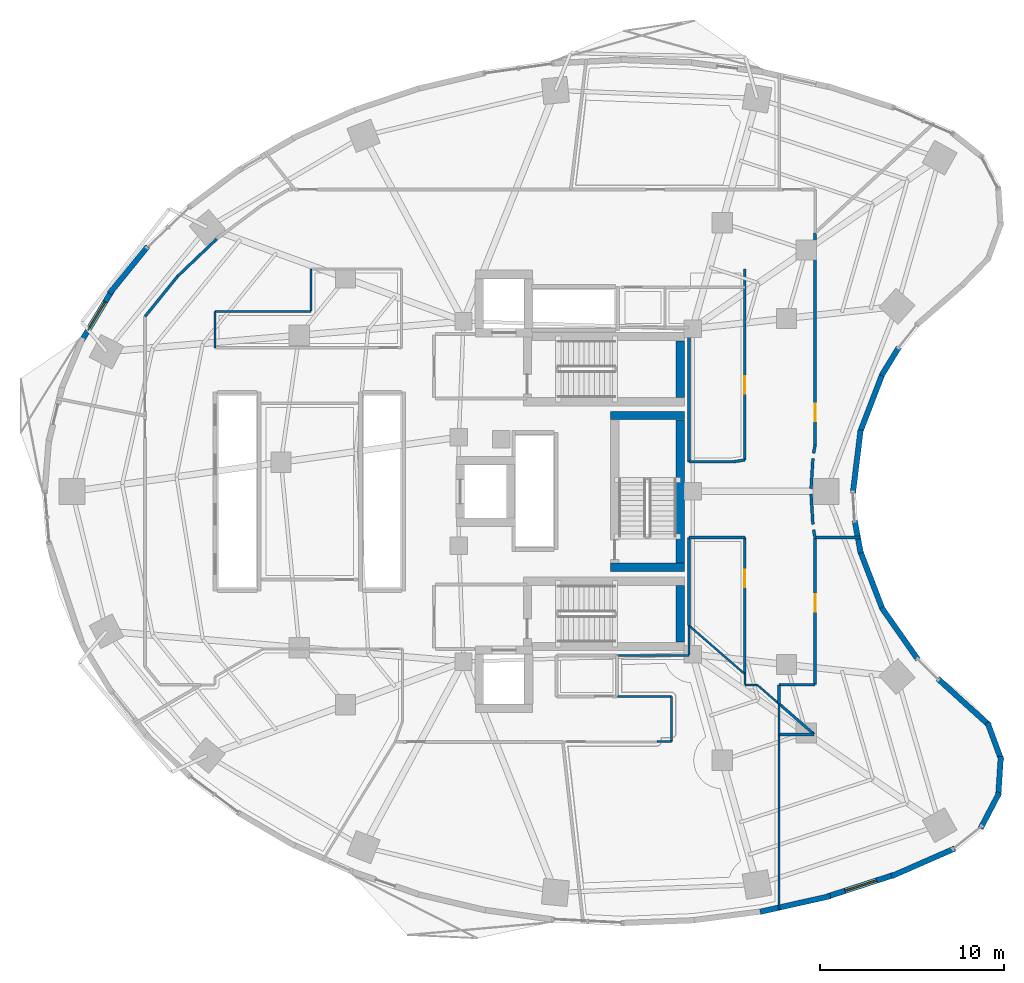
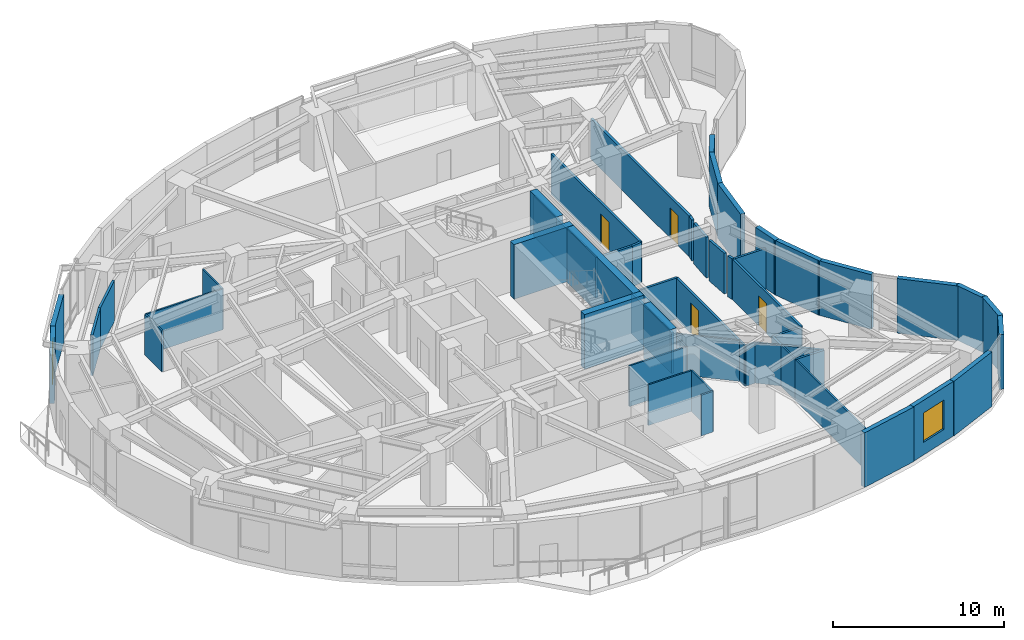
# One storey, part 10 of 15: 54 walls, 4 doors, 2 windows, 6 openings.
"""IFC4 building model written with IfcOpenShell, lengths in metres."""

from ifc_helpers import new_model, si_unit, direction, frame, frame_2d, origin, place, context, subcontext, project, spatial, rectangle, extrude, material, layer, layer_set, type_object, element, fill, save


model = new_model("IFC4")

# Units and contexts
model_context = context("Model", 3, precision=1e-05, world=origin(), true_north=direction((0.0, 1.0)))
body_context = subcontext(model_context, "Body", "Model", "MODEL_VIEW")
ifc_project = project(units=[si_unit("LENGTHUNIT", "METRE"), si_unit("AREAUNIT", "SQUARE_METRE"), si_unit("VOLUMEUNIT", "CUBIC_METRE"), si_unit("PLANEANGLEUNIT", "RADIAN"), si_unit("MASSUNIT", "GRAM", prefix="KILO")], contexts=[model_context])

# Site, building, storey
site_placement = place(None, origin())
site = spatial("IfcSite", under=ifc_project, at=site_placement, CompositionType="ELEMENT")
building_placement = place(site_placement, origin())
building = spatial("IfcBuilding", under=site, at=building_placement, Name="Korentha Bioscience Tower", CompositionType="ELEMENT")
storey_placement = place(building_placement, frame((0.0, 0.0, 76.199951171875)))
storey = spatial("IfcBuildingStorey", under=building, at=storey_placement, Name="L17", CompositionType="ELEMENT", Elevation=76.199951171875)

# Wall, opening, door
ifc_material_1 = material(Name="Double-Stud Acoustic Gypsum", Category="gypsum")
ifc_layer_1 = layer(ifc_material_1, 0.14990234375, Name="Double-Stud Acoustic Gypsum")
ifc_layer_set_1 = layer_set([ifc_layer_1], Name="Double-Stud Acoustic Gypsum (IW-L150)")
wall_type_1 = type_object("IfcWallType", Name="Acoustic Laboratory Partition Wall 150", PredefinedType="PARTITIONING", material=ifc_layer_set_1)
wall_1_placement = place(storey_placement, frame((44.2099609375, 16.5, 0.0), z_axis=(0.0, 0.0, 1.0), x_axis=(0.0, 1.0, 0.0)))
wall_1 = element("IfcWall", 1, at=wall_1_placement, inside=storey, type_object=wall_type_1, Name="L17 Grant Review Seminar Room 06 Entrance Wall", PredefinedType="PARTITIONING", context=body_context, shape_type="SweptSolid", body=[
    extrude(rectangle(XDim=7.970458984375, YDim=0.14990234375, at=frame_2d((3.9853515625, 0.0))), origin(), (0.0, 0.0, 1.0), 2.91015625),
])
opening_1_placement = place(wall_1_placement, frame((3.9658203125, 0.0, 0.0)))
opening_1 = element("IfcOpeningElement", 2, at=opening_1_placement, cuts=wall_1, Name="Opening ID-10L", PredefinedType="OPENING", context=body_context, shape_type="SweptSolid", body=[
    extrude(rectangle(XDim=0.949951171875, YDim=2.14990234375, at=frame_2d((0.47509765625, 1.074951171875))), frame((0.0, 0.08984375, 0.0), z_axis=(0.0, -1.0, 0.0), x_axis=(1.0, 0.0, 0.0)), (0.0, 0.0, 1.0), 0.1796875),
])
ifc_material_2 = material(Name="Phenolic Laminate Timber Core", Category="wood")
door_type_1 = type_object("IfcDoorType", Name="Laboratory Single Leaf Door 950x2150 Left", OperationType="SINGLE_SWING_LEFT", PredefinedType="DOOR", material=ifc_material_2)
door_1_placement = place(opening_1_placement, origin())
door_1 = element("IfcDoor", 3, at=door_1_placement, inside=storey, type_object=door_type_1, Name="L17 Grant Review Seminar Room 06 Door", OperationType="SINGLE_SWING_LEFT", OverallHeight=2.14990234375, OverallWidth=0.949951171875, PredefinedType="DOOR", context=body_context, shape_type="SweptSolid", body=[
    extrude(rectangle(XDim=0.949951171875, YDim=2.14990234375, at=frame_2d((0.47509765625, 1.074951171875))), frame((0.0, 0.02490234375, 0.0), z_axis=(0.0, -1.0, 0.0), x_axis=(1.0, 0.0, 0.0)), (0.0, 0.0, 1.0), 0.050048828125),
])
fill(opening_1, door_1)

wall_2_placement = place(storey_placement, frame((40.389892578125, 24.498046875, 0.0), z_axis=(0.0, 0.0, 1.0), x_axis=(0.0, -1.0, 0.0)))
wall_2 = element("IfcWall", 4, at=wall_2_placement, inside=storey, type_object=wall_type_1, Name="L17 Daylight Break and Coffee Bar 07 Entrance Wall", PredefinedType="PARTITIONING", context=body_context, shape_type="SweptSolid", body=[
    extrude(rectangle(XDim=7.41162109375, YDim=0.14990234375, at=frame_2d((3.705810546875, 0.0))), origin(), (0.0, 0.0, 1.0), 2.91015625),
])
opening_2_placement = place(wall_2_placement, frame((1.744140625, 0.0, 0.0)))
opening_2 = element("IfcOpeningElement", 5, at=opening_2_placement, cuts=wall_2, Name="Opening ID-10R", PredefinedType="OPENING", context=body_context, shape_type="SweptSolid", body=[
    extrude(rectangle(XDim=0.949951171875, YDim=2.14990234375, at=frame_2d((0.47509765625, 1.074951171875))), frame((0.0, 0.08984375, 0.0), z_axis=(0.0, -1.0, 0.0), x_axis=(1.0, 0.0, 0.0)), (0.0, 0.0, 1.0), 0.1796875),
])
door_type_2 = type_object("IfcDoorType", Name="Laboratory Single Leaf Door 950x2150 Right", OperationType="SINGLE_SWING_RIGHT", PredefinedType="DOOR", material=ifc_material_2)
door_2_placement = place(opening_2_placement, origin())
door_2 = element("IfcDoor", 6, at=door_2_placement, inside=storey, type_object=door_type_2, Name="L17 Daylight Break and Coffee Bar 07 Door", OperationType="SINGLE_SWING_RIGHT", OverallHeight=2.14990234375, OverallWidth=0.949951171875, PredefinedType="DOOR", context=body_context, shape_type="SweptSolid", body=[
    extrude(rectangle(XDim=0.949951171875, YDim=2.14990234375, at=frame_2d((0.47509765625, 1.074951171875))), frame((0.0, 0.02490234375, 0.0), z_axis=(0.0, -1.0, 0.0), x_axis=(1.0, 0.0, 0.0)), (0.0, 0.0, 1.0), 0.050048828125),
])
fill(opening_2, door_2)

wall_3_placement = place(storey_placement, frame((40.389892578125, 39.090087890625, 0.0), z_axis=(0.0, 0.0, 1.0), x_axis=(0.0, -1.0, 0.0)))
wall_3 = element("IfcWall", 7, at=wall_3_placement, inside=storey, type_object=wall_type_1, Name="L17 Immunology Flow-Cytometry Laboratory 09 Entrance Wall", PredefinedType="PARTITIONING", context=body_context, shape_type="SweptSolid", body=[
    extrude(rectangle(XDim=10.3818359375, YDim=0.14990234375, at=frame_2d((5.19091796875, 0.0))), origin(), (0.0, 0.0, 1.0), 2.91015625),
])
opening_3_placement = place(wall_3_placement, frame((5.82763671875, 0.0, 0.0)))
opening_3 = element("IfcOpeningElement", 8, at=opening_3_placement, cuts=wall_3, Name="Opening ID-10R", PredefinedType="OPENING", context=body_context, shape_type="SweptSolid", body=[
    extrude(rectangle(XDim=0.949951171875, YDim=2.14990234375, at=frame_2d((0.47509765625, 1.074951171875))), frame((0.0, 0.08984375, 0.0), z_axis=(0.0, -1.0, 0.0), x_axis=(1.0, 0.0, 0.0)), (0.0, 0.0, 1.0), 0.1796875),
])
door_3_placement = place(opening_3_placement, origin())
door_3 = element("IfcDoor", 9, at=door_3_placement, inside=storey, type_object=door_type_2, Name="L17 Immunology Flow-Cytometry Laboratory 09 Door", OperationType="SINGLE_SWING_RIGHT", OverallHeight=2.14990234375, OverallWidth=0.949951171875, PredefinedType="DOOR", context=body_context, shape_type="SweptSolid", body=[
    extrude(rectangle(XDim=0.949951171875, YDim=2.14990234375, at=frame_2d((0.47509765625, 1.074951171875))), frame((0.0, 0.02490234375, 0.0), z_axis=(0.0, -1.0, 0.0), x_axis=(1.0, 0.0, 0.0)), (0.0, 0.0, 1.0), 0.050048828125),
])
fill(opening_3, door_3)

# Walls
wall_4_placement = place(storey_placement, frame((42.251953125, 16.489990234375, 0.0), z_axis=(0.0, 0.0, 1.0), x_axis=(1.0, 0.0, 0.0)))
element("IfcWall", 10, at=wall_4_placement, inside=storey, type_object=wall_type_1, Name="L17 Interior Partition 049", PredefinedType="PARTITIONING", context=body_context, shape_type="SweptSolid", body=[
    extrude(rectangle(XDim=1.947998046875, YDim=0.14990234375, at=frame_2d((0.97412109375, 0.0))), origin(), (0.0, 0.0, 1.0), 2.91015625),
])
wall_5_placement = place(storey_placement, frame((44.205078125, 24.498046875, 0.0), z_axis=(0.0, 0.0, 1.0), x_axis=(1.0, 0.0, 0.0)))
element("IfcWall", 11, at=wall_5_placement, inside=storey, type_object=wall_type_1, Name="L17 Interior Partition 050", PredefinedType="PARTITIONING", context=body_context, shape_type="SweptSolid", body=[
    extrude(rectangle(XDim=2.446533203125, YDim=0.14990234375, at=frame_2d((1.22314453125, 0.0))), origin(), (0.0, 0.0, 1.0), 2.91015625),
])
wall_6_placement = place(storey_placement, frame((42.258056640625, 13.798095703125, 0.0), z_axis=(0.0, 0.0, 1.0), x_axis=(1.0, 0.0, 0.0)))
element("IfcWall", 12, at=wall_6_placement, inside=storey, type_object=wall_type_1, Name="L17 Interior Partition 051", PredefinedType="PARTITIONING", context=body_context, shape_type="SweptSolid", body=[
    extrude(rectangle(XDim=1.89501953125, YDim=0.14990234375, at=frame_2d((0.947509765625, 0.0))), origin(), (0.0, 0.0, 1.0), 2.91015625),
])
wall_7_placement = place(storey_placement, frame((44.15576171875, 13.804931640625, 0.0), z_axis=(0.0, 0.0, 1.0), x_axis=(-0.754707936706, 0.656060919635, 0.0)))
element("IfcWall", 13, at=wall_7_placement, inside=storey, type_object=wall_type_1, Name="L17 Interior Partition 052", PredefinedType="PARTITIONING", context=body_context, shape_type="SweptSolid", body=[
    extrude(rectangle(XDim=2.514404296875, YDim=0.14990234375, at=frame_2d((1.25732421875, 0.0))), origin(), (0.0, 0.0, 1.0), 2.91015625),
])
wall_8_placement = place(storey_placement, frame((42.251953125, 15.468017578125, 0.0), z_axis=(0.0, 0.0, 1.0), x_axis=(0.0, 1.0, 0.0)))
element("IfcWall", 14, at=wall_8_placement, inside=storey, type_object=wall_type_1, Name="L17 Interior Partition 053", PredefinedType="PARTITIONING", context=body_context, shape_type="SweptSolid", body=[
    extrude(rectangle(XDim=1.02197265625, YDim=0.14990234375, at=frame_2d((0.510986328125, 0.0))), origin(), (0.0, 0.0, 1.0), 2.91015625),
])
wall_9_placement = place(storey_placement, frame((37.360107421875, 19.71728515625, 0.0), z_axis=(0.0, 0.0, 1.0), x_axis=(0.0, 1.0, 0.0)))
element("IfcWall", 15, at=wall_9_placement, inside=storey, type_object=wall_type_1, Name="L17 Interior Partition 054", PredefinedType="PARTITIONING", context=body_context, shape_type="SweptSolid", body=[
    extrude(rectangle(XDim=4.78076171875, YDim=0.14990234375, at=frame_2d((2.390380859375, 0.0))), origin(), (0.0, 0.0, 1.0), 2.91015625),
])
wall_10_placement = place(storey_placement, frame((37.360107421875, 24.498046875, 0.0), z_axis=(0.0, 0.0, 1.0), x_axis=(1.0, 0.0, 0.0)))
element("IfcWall", 16, at=wall_10_placement, inside=storey, type_object=wall_type_1, Name="L17 Interior Partition 055", PredefinedType="PARTITIONING", context=body_context, shape_type="SweptSolid", body=[
    extrude(rectangle(XDim=3.02978515625, YDim=0.14990234375, at=frame_2d((1.514892578125, 0.0))), origin(), (0.0, 0.0, 1.0), 2.91015625),
])
wall_11_placement = place(storey_placement, frame((39.73291015625, 28.610107421875, 0.0), z_axis=(0.0, 0.0, 1.0), x_axis=(-1.0, 0.0, 0.0)))
element("IfcWall", 17, at=wall_11_placement, inside=storey, type_object=wall_type_1, Name="L17 Interior Partition 061", PredefinedType="PARTITIONING", context=body_context, shape_type="SweptSolid", body=[
    extrude(rectangle(XDim=2.372802734375, YDim=0.14990234375, at=frame_2d((1.1865234375, 0.0))), origin(), (0.0, 0.0, 1.0), 2.91015625),
])
wall_12_placement = place(storey_placement, frame((37.360107421875, 28.610107421875, 0.0), z_axis=(0.0, 0.0, 1.0), x_axis=(0.0, 1.0, 0.0)))
element("IfcWall", 18, at=wall_12_placement, inside=storey, type_object=wall_type_1, Name="L17 Interior Partition 062", PredefinedType="PARTITIONING", context=body_context, shape_type="SweptSolid", body=[
    extrude(rectangle(XDim=7.289794921875, YDim=0.14990234375, at=frame_2d((3.64501953125, 0.0))), origin(), (0.0, 0.0, 1.0), 2.91015625),
])
wall_13_placement = place(storey_placement, frame((40.389892578125, 28.708251953125, 0.0), z_axis=(0.0, 0.0, 1.0), x_axis=(-0.989025137229, -0.147747344915, 0.0)))
element("IfcWall", 19, at=wall_13_placement, inside=storey, type_object=wall_type_1, Name="L17 Interior Partition 067", PredefinedType="PARTITIONING", context=body_context, shape_type="SweptSolid", body=[
    extrude(rectangle(XDim=0.664306640625, YDim=0.14990234375, at=frame_2d((0.33203125, 0.0))), origin(), (0.0, 0.0, 1.0), 2.91015625),
])
wall_14_placement = place(storey_placement, frame((11.693359375, 40.72705078125, 0.0), z_axis=(0.0, 0.0, 1.0), x_axis=(-0.723683526017, -0.690131983154, 0.0)))
element("IfcWall", 20, at=wall_14_placement, inside=storey, type_object=wall_type_1, Name="L17 Interior Partition 080", PredefinedType="PARTITIONING", context=body_context, shape_type="SweptSolid", body=[
    extrude(rectangle(XDim=2.939697265625, YDim=0.14990234375, at=frame_2d((1.4697265625, 0.0))), origin(), (0.0, 0.0, 1.0), 2.91015625),
])
wall_15_placement = place(storey_placement, frame((9.565185546875, 38.697265625, 0.0), z_axis=(0.0, 0.0, 1.0), x_axis=(-0.629270515505, -0.777186347227, 0.0)))
element("IfcWall", 21, at=wall_15_placement, inside=storey, type_object=wall_type_1, Name="L17 Interior Partition 081", PredefinedType="PARTITIONING", context=body_context, shape_type="SweptSolid", body=[
    extrude(rectangle(XDim=2.8173828125, YDim=0.14990234375, at=frame_2d((1.40869140625, 0.0))), origin(), (0.0, 0.0, 1.0), 2.91015625),
])
ifc_material_3 = material(Name="Fire-Rated Framed Glass", Category="glass")
ifc_layer_2 = layer(ifc_material_3, 0.110107421875, Name="Fire-Rated Framed Glass")
ifc_layer_set_2 = layer_set([ifc_layer_2], Name="Fire-Rated Framed Glass (IW-G110)")
wall_type_2 = type_object("IfcWallType", Name="Demountable Glazed Office Partition 110", PredefinedType="MOVABLE", material=ifc_layer_set_2)
wall_16_placement = place(storey_placement, frame((40.389892578125, 17.0732421875, 0.0), z_axis=(0.0, 0.0, 1.0), x_axis=(0.0, -1.0, 0.0)))
element("IfcWall", 22, at=wall_16_placement, inside=storey, type_object=wall_type_2, Name="L17 Interior Partition 037", PredefinedType="MOVABLE", context=body_context, shape_type="SweptSolid", body=[
    extrude(rectangle(XDim=0.5732421875, YDim=0.110107421875, at=frame_2d((0.28662109375, 0.0))), origin(), (0.0, 0.0, 1.0), 2.91015625),
])
wall_17_placement = place(storey_placement, frame((40.39990234375, 16.489990234375, 0.0), z_axis=(0.0, 0.0, 1.0), x_axis=(1.0, 0.0, 0.0)))
element("IfcWall", 23, at=wall_17_placement, inside=storey, type_object=wall_type_2, Name="L17 Interior Partition 038", PredefinedType="MOVABLE", context=body_context, shape_type="SweptSolid", body=[
    extrude(rectangle(XDim=0.660888671875, YDim=0.110107421875, at=frame_2d((0.33056640625, 0.0))), origin(), (0.0, 0.0, 1.0), 2.91015625),
])
wall_18_placement = place(storey_placement, frame((41.060791015625, 16.489990234375, 0.0), z_axis=(0.0, 0.0, 1.0), x_axis=(0.754745866839, -0.656017283682, 0.0)))
element("IfcWall", 24, at=wall_18_placement, inside=storey, type_object=wall_type_2, Name="L17 Interior Partition 039", PredefinedType="MOVABLE", context=body_context, shape_type="SweptSolid", body=[
    extrude(rectangle(XDim=1.57275390625, YDim=0.110107421875, at=frame_2d((0.786376953125, 0.0))), origin(), (0.0, 0.0, 1.0), 2.91015625),
])
wall_19_placement = place(storey_placement, frame((42.248046875, 15.4580078125, 0.0), z_axis=(0.0, 0.0, 1.0), x_axis=(0.0, -1.0, 0.0)))
element("IfcWall", 25, at=wall_19_placement, inside=storey, type_object=wall_type_2, Name="L17 Interior Partition 040", PredefinedType="MOVABLE", context=body_context, shape_type="SweptSolid", body=[
    extrude(rectangle(XDim=1.656005859375, YDim=0.110107421875, at=frame_2d((0.828125, 0.0))), origin(), (0.0, 0.0, 1.0), 2.91015625),
])
wall_20_placement = place(storey_placement, frame((42.248046875, 13.7978515625, 0.0), z_axis=(0.0, 0.0, 1.0), x_axis=(0.0, -1.0, 0.0)))
element("IfcWall", 26, at=wall_20_placement, inside=storey, type_object=wall_type_2, Name="L17 Interior Partition 041", PredefinedType="MOVABLE", context=body_context, shape_type="SweptSolid", body=[
    extrude(rectangle(XDim=9.530029296875, YDim=0.110107421875, at=frame_2d((4.76513671875, 0.0))), origin(), (0.0, 0.0, 1.0), 2.91015625),
])
wall_21_placement = place(storey_placement, frame((35.610107421875, 13.39990234375, 0.0), z_axis=(0.0, 0.0, 1.0), x_axis=(1.0, 0.0, 0.0)))
element("IfcWall", 27, at=wall_21_placement, inside=storey, type_object=wall_type_2, Name="L17 Interior Partition 043", PredefinedType="MOVABLE", context=body_context, shape_type="SweptSolid", body=[
    extrude(rectangle(XDim=0.789794921875, YDim=0.110107421875, at=frame_2d((0.39501953125, 0.0))), origin(), (0.0, 0.0, 1.0), 2.91015625),
])
wall_22_placement = place(storey_placement, frame((36.39990234375, 13.39990234375, 0.0), z_axis=(0.0, 0.0, 1.0), x_axis=(0.004085258855, 0.999991655295, 0.0)))
element("IfcWall", 28, at=wall_22_placement, inside=storey, type_object=wall_type_2, Name="L17 Interior Partition 044", PredefinedType="MOVABLE", context=body_context, shape_type="SweptSolid", body=[
    extrude(rectangle(XDim=2.4501953125, YDim=0.110107421875, at=frame_2d((1.22509765625, 0.0))), origin(), (0.0, 0.0, 1.0), 2.91015625),
])
wall_23_placement = place(storey_placement, frame((36.39990234375, 15.860107421875, 0.0), z_axis=(0.0, 0.0, 1.0), x_axis=(-1.0, 0.0, 0.0)))
element("IfcWall", 29, at=wall_23_placement, inside=storey, type_object=wall_type_2, Name="L17 Interior Partition 045", PredefinedType="MOVABLE", context=body_context, shape_type="SweptSolid", body=[
    extrude(rectangle(XDim=2.93994140625, YDim=0.110107421875, at=frame_2d((1.469970703125, 0.0))), origin(), (0.0, 0.0, 1.0), 2.91015625),
])
wall_24_placement = place(storey_placement, frame((33.4599609375, 18.090087890625, 0.0), z_axis=(0.0, 0.0, 1.0), x_axis=(1.0, 0.0, 0.0)))
element("IfcWall", 30, at=wall_24_placement, inside=storey, type_object=wall_type_2, Name="L17 Interior Partition 046", PredefinedType="MOVABLE", context=body_context, shape_type="SweptSolid", body=[
    extrude(rectangle(XDim=3.89013671875, YDim=0.110107421875, at=frame_2d((1.945068359375, 0.0))), origin(), (0.0, 0.0, 1.0), 2.91015625),
])
wall_25_placement = place(storey_placement, frame((37.360107421875, 18.10009765625, 0.0), z_axis=(0.0, 0.0, 1.0), x_axis=(0.0, 1.0, 0.0)))
element("IfcWall", 31, at=wall_25_placement, inside=storey, type_object=wall_type_2, Name="L17 Interior Partition 047", PredefinedType="MOVABLE", context=body_context, shape_type="SweptSolid", body=[
    extrude(rectangle(XDim=1.607177734375, YDim=0.110107421875, at=frame_2d((0.8037109375, 0.0))), origin(), (0.0, 0.0, 1.0), 2.91015625),
])
wall_26_placement = place(storey_placement, frame((37.360107421875, 19.707275390625, 0.0), z_axis=(0.0, 0.0, 1.0), x_axis=(0.754674904971, -0.656098916175, 0.0)))
element("IfcWall", 32, at=wall_26_placement, inside=storey, type_object=wall_type_2, Name="L17 Interior Partition 048", PredefinedType="MOVABLE", context=body_context, shape_type="SweptSolid", body=[
    extrude(rectangle(XDim=4.0146484375, YDim=0.110107421875, at=frame_2d((2.00732421875, 0.0))), origin(), (0.0, 0.0, 1.0), 2.91015625),
])
wall_27_placement = place(storey_placement, frame((11.590087890625, 36.7900390625, 0.0), z_axis=(0.0, 0.0, 1.0), x_axis=(1.0, 0.0, 0.0)))
element("IfcWall", 33, at=wall_27_placement, inside=storey, type_object=wall_type_2, Name="L17 Interior Partition 072", PredefinedType="MOVABLE", context=body_context, shape_type="SweptSolid", body=[
    extrude(rectangle(XDim=5.2099609375, YDim=0.110107421875, at=frame_2d((2.60498046875, 0.0))), origin(), (0.0, 0.0, 1.0), 2.91015625),
])
wall_28_placement = place(storey_placement, frame((16.81005859375, 36.800048828125, 0.0), z_axis=(0.0, 0.0, 1.0), x_axis=(0.0, 1.0, 0.0)))
element("IfcWall", 34, at=wall_28_placement, inside=storey, type_object=wall_type_2, Name="L17 Interior Partition 073", PredefinedType="MOVABLE", context=body_context, shape_type="SweptSolid", body=[
    extrude(rectangle(XDim=2.2900390625, YDim=0.110107421875, at=frame_2d((1.14501953125, 0.0))), origin(), (0.0, 0.0, 1.0), 2.91015625),
])
wall_29_placement = place(storey_placement, frame((11.590087890625, 34.81005859375, 0.0), z_axis=(0.0, 0.0, 1.0), x_axis=(0.0, 1.0, 0.0)))
element("IfcWall", 35, at=wall_29_placement, inside=storey, type_object=wall_type_2, Name="L17 Interior Partition 076", PredefinedType="MOVABLE", context=body_context, shape_type="SweptSolid", body=[
    extrude(rectangle(XDim=1.97998046875, YDim=0.110107421875, at=frame_2d((0.989990234375, 0.0))), origin(), (0.0, 0.0, 1.0), 2.91015625),
])

# Wall, opening, door
ifc_material_4 = material(Name="Gypsum-Clad Steel Stud", Category="steel")
ifc_layer_3 = layer(ifc_material_4, 0.159912109375, Name="Gypsum-Clad Steel Stud")
ifc_layer_set_3 = layer_set([ifc_layer_3], Name="Gypsum-Clad Steel Stud (IW-C160)")
wall_type_3 = type_object("IfcWallType", Name="Fire-Rated Corridor Partition Wall 160", PredefinedType="PARTITIONING", material=ifc_layer_set_3)
wall_30_placement = place(storey_placement, frame((44.2099609375, 29.529541015625, 0.0), z_axis=(0.0, 0.0, 1.0), x_axis=(0.0, 1.0, 0.0)))
wall_30 = element("IfcWall", 36, at=wall_30_placement, inside=storey, type_object=wall_type_3, Name="L17 Reference Archive Vault 08 Entrance Wall", PredefinedType="PARTITIONING", context=body_context, shape_type="SweptSolid", body=[
    extrude(rectangle(XDim=11.52734375, YDim=0.159912109375, at=frame_2d((5.763671875, 0.0))), origin(), (0.0, 0.0, 1.0), 2.91015625),
])
opening_4_placement = place(wall_30_placement, frame((1.291015625, 0.0, 0.0)))
opening_4 = element("IfcOpeningElement", 37, at=opening_4_placement, cuts=wall_30, Name="Opening ID-10L", PredefinedType="OPENING", context=body_context, shape_type="SweptSolid", body=[
    extrude(rectangle(XDim=0.949951171875, YDim=2.14990234375, at=frame_2d((0.47509765625, 1.074951171875))), frame((0.0, 0.0947265625, 0.0), z_axis=(0.0, -1.0, 0.0), x_axis=(1.0, 0.0, 0.0)), (0.0, 0.0, 1.0), 0.189697265625),
])
door_4_placement = place(opening_4_placement, origin())
door_4 = element("IfcDoor", 38, at=door_4_placement, inside=storey, type_object=door_type_1, Name="L17 Reference Archive Vault 08 Door", OperationType="SINGLE_SWING_LEFT", OverallHeight=2.14990234375, OverallWidth=0.949951171875, PredefinedType="DOOR", context=body_context, shape_type="SweptSolid", body=[
    extrude(rectangle(XDim=0.949951171875, YDim=2.14990234375, at=frame_2d((0.47509765625, 1.074951171875))), frame((0.0, 0.02490234375, 0.0), z_axis=(0.0, -1.0, 0.0), x_axis=(1.0, 0.0, 0.0)), (0.0, 0.0, 1.0), 0.050048828125),
])
fill(opening_4, door_4)

# Walls
wall_31_placement = place(storey_placement, frame((44.203125, 24.5078125, 0.0), z_axis=(0.0, 0.0, 1.0), x_axis=(-0.181944014068, 0.983308891318, 0.0)))
element("IfcWall", 39, at=wall_31_placement, inside=storey, type_object=wall_type_3, Name="L17 Interior Partition 056", PredefinedType="PARTITIONING", context=body_context, shape_type="SweptSolid", body=[
    extrude(rectangle(XDim=0.42138671875, YDim=0.159912109375, at=frame_2d((0.210693359375, 0.0))), origin(), (0.0, 0.0, 1.0), 2.91015625),
])
for number, where, z_axis, x_axis, name in (
    (40, (44.090087890625, 25.217041015625, 0.0), (0.0, 0.0, 1.0), (-0.060976688407, 0.998139190429, 0.0), "L17 Interior Partition 057"),
    (41, (43.990234375, 27.1484375, 0.0), (0.0, 0.0, 1.0), (0.060976688407, 0.998139190429, 0.0), "L17 Interior Partition 058"),
):
    element("IfcWall", number, at=place(storey_placement, frame(where, z_axis=z_axis, x_axis=x_axis)), inside=storey, type_object=wall_type_3, Name=name, PredefinedType="PARTITIONING", context=body_context, shape_type="SweptSolid", body=[
        extrude(rectangle(XDim=1.637451171875, YDim=0.159912109375, at=frame_2d((0.81884765625, 0.0))), origin(), (0.0, 0.0, 1.0), 2.91015625),
    ])
wall_32_placement = place(storey_placement, frame((44.12646484375, 29.077880859375, 0.0), z_axis=(0.0, 0.0, 1.0), x_axis=(0.181936414242, 0.983310297502, 0.0)))
element("IfcWall", 42, at=wall_32_placement, inside=storey, type_object=wall_type_3, Name="L17 Interior Partition 059", PredefinedType="PARTITIONING", context=body_context, shape_type="SweptSolid", body=[
    extrude(rectangle(XDim=0.45751953125, YDim=0.159912109375, at=frame_2d((0.228759765625, 0.0))), origin(), (0.0, 0.0, 1.0), 2.91015625),
])

# Wall, opening, window
ifc_material_5 = material(Name="Honed Limestone Precast Concrete C40", Category="masonry")
ifc_layer_4 = layer(ifc_material_5, 0.300048828125, Name="Honed Limestone Precast Concrete C40")
ifc_layer_set_4 = layer_set([ifc_layer_4], Name="Honed Limestone Precast Concrete C40 (EW-ST300)")
wall_type_4 = type_object("IfcWallType", Name="Honed Limestone Cavity Spandrel Wall 300", PredefinedType="STANDARD", material=ifc_layer_set_4)
wall_33_placement = place(storey_placement, frame((5.975341796875, 37.886474609375, 0.0), z_axis=(0.0, 0.0, 1.0), x_axis=(-0.516447962267, -0.856318575222, 0.0)))
wall_33 = element("IfcWall", 43, at=wall_33_placement, inside=storey, type_object=wall_type_4, Name="L17 Honed Limestone Spandrel Wall 15", PredefinedType="STANDARD", context=body_context, shape_type="SweptSolid", body=[
    extrude(rectangle(XDim=3.142822265625, YDim=0.300048828125, at=frame_2d((1.5712890625, 0.0))), origin(), (0.0, 0.0, 1.0), 3.469970703125),
])
opening_5_placement = place(wall_33_placement, frame((0.67138671875, 0.0, 0.89990234375)))
opening_5 = element("IfcOpeningElement", 44, at=opening_5_placement, cuts=wall_33, Name="Opening WN-01", PredefinedType="OPENING", context=body_context, shape_type="SweptSolid", body=[
    extrude(rectangle(XDim=1.800048828125, YDim=2.10009765625, at=frame_2d((0.89990234375, 1.050048828125))), frame((0.0, 0.1650390625, 0.0), z_axis=(0.0, -1.0, 0.0), x_axis=(1.0, 0.0, 0.0)), (0.0, 0.0, 1.0), 0.329833984375),
])
ifc_material_6 = material(Name="Thermally Broken Aluminium Triple Glazing", Category="aluminium")
window_type = type_object("IfcWindowType", Name="Triple-Glazed Fixed Bioscience Window 1800x2100", PartitioningType="SINGLE_PANEL", PredefinedType="WINDOW", material=ifc_material_6)
window_1_placement = place(opening_5_placement, origin())
window_1 = element("IfcWindow", 45, at=window_1_placement, inside=storey, type_object=window_type, Name="L17 Facade Window 15", OverallHeight=2.10009765625, OverallWidth=1.800048828125, PartitioningType="SINGLE_PANEL", PredefinedType="WINDOW", context=body_context, shape_type="SweptSolid", body=[
    extrude(rectangle(XDim=1.800048828125, YDim=2.10009765625, at=frame_2d((0.89990234375, 1.050048828125))), frame((0.0, 0.030029296875, 0.0), z_axis=(0.0, -1.0, 0.0), x_axis=(1.0, 0.0, 0.0)), (0.0, 0.0, 1.0), 0.06005859375),
])
fill(opening_5, window_1)

wall_34_placement = place(storey_placement, frame((44.885498046875, 4.98828125, 0.0), z_axis=(0.0, 0.0, 1.0), x_axis=(0.950958033078, 0.30931993037, 0.0)))
wall_34 = element("IfcWall", 46, at=wall_34_placement, inside=storey, type_object=wall_type_4, Name="L17 Honed Limestone Spandrel Wall 35", PredefinedType="STANDARD", context=body_context, shape_type="SweptSolid", body=[
    extrude(rectangle(XDim=3.80029296875, YDim=0.300048828125, at=frame_2d((1.900146484375, 0.0))), origin(), (0.0, 0.0, 1.0), 3.900146484375),
])
opening_6_placement = place(wall_34_placement, frame((1.0, 0.0, 0.89990234375)))
opening_6 = element("IfcOpeningElement", 47, at=opening_6_placement, cuts=wall_34, Name="Opening WN-01", PredefinedType="OPENING", context=body_context, shape_type="SweptSolid", body=[
    extrude(rectangle(XDim=1.800048828125, YDim=2.10009765625, at=frame_2d((0.89990234375, 1.050048828125))), frame((0.0, 0.1650390625, 0.0), z_axis=(0.0, -1.0, 0.0), x_axis=(1.0, 0.0, 0.0)), (0.0, 0.0, 1.0), 0.329833984375),
])
window_2_placement = place(opening_6_placement, origin())
window_2 = element("IfcWindow", 48, at=window_2_placement, inside=storey, type_object=window_type, Name="L17 Facade Window 35", OverallHeight=2.10009765625, OverallWidth=1.800048828125, PartitioningType="SINGLE_PANEL", PredefinedType="WINDOW", context=body_context, shape_type="SweptSolid", body=[
    extrude(rectangle(XDim=1.800048828125, YDim=2.10009765625, at=frame_2d((0.89990234375, 1.050048828125))), frame((0.0, 0.030029296875, 0.0), z_axis=(0.0, -1.0, 0.0), x_axis=(1.0, 0.0, 0.0)), (0.0, 0.0, 1.0), 0.06005859375),
])
fill(opening_6, window_2)

# Walls
wall_35_placement = place(storey_placement, frame((7.934326171875, 40.322509765625, 0.0), z_axis=(0.0, 0.0, 1.0), x_axis=(-0.629221727718, -0.777225847079, 0.0)))
element("IfcWall", 49, at=wall_35_placement, inside=storey, type_object=wall_type_4, Name="L17 Limestone Perimeter Closure Wall 14", PredefinedType="STANDARD", context=body_context, shape_type="SweptSolid", body=[
    extrude(rectangle(XDim=3.28759765625, YDim=0.300048828125, at=frame_2d((1.643798828125, 0.0))), origin(), (0.0, 0.0, 1.0), 3.469970703125),
])
wall_36_placement = place(storey_placement, frame((41.22509765625, 4.1552734375, 0.0), z_axis=(0.0, 0.0, 1.0), x_axis=(0.975868573345, 0.218358713032, 0.0)))
element("IfcWall", 50, at=wall_36_placement, inside=storey, type_object=wall_type_4, Name="L17 Limestone Perimeter Closure Wall 34", PredefinedType="STANDARD", context=body_context, shape_type="SweptSolid", body=[
    extrude(rectangle(XDim=3.90869140625, YDim=0.300048828125, at=frame_2d((1.954345703125, 0.0))), origin(), (0.0, 0.0, 1.0), 3.900146484375),
])
wall_37_placement = place(storey_placement, frame((48.3623046875, 6.089111328125, 0.0), z_axis=(0.0, 0.0, 1.0), x_axis=(0.915945168042, 0.401303437738, 0.0)))
element("IfcWall", 51, at=wall_37_placement, inside=storey, type_object=wall_type_4, Name="L17 Limestone Perimeter Closure Wall 36", PredefinedType="STANDARD", context=body_context, shape_type="SweptSolid", body=[
    extrude(rectangle(XDim=3.75244140625, YDim=0.300048828125, at=frame_2d((1.876220703125, 0.0))), origin(), (0.0, 0.0, 1.0), 3.900146484375),
])
wall_38_placement = place(storey_placement, frame((53.20751953125, 8.691650390625, 0.0), z_axis=(0.0, 0.0, 1.0), x_axis=(0.463035066673, 0.886339961319, 0.0)))
element("IfcWall", 52, at=wall_38_placement, inside=storey, type_object=wall_type_4, Name="L17 Limestone Perimeter Closure Wall 38", PredefinedType="STANDARD", context=body_context, shape_type="SweptSolid", body=[
    extrude(rectangle(XDim=2.1875, YDim=0.300048828125, at=frame_2d((1.09375, 0.0))), origin(), (0.0, 0.0, 1.0), 3.900146484375),
])
for number, where, z_axis, x_axis, name in (
    (53, (54.16259765625, 10.42431640625, 0.0), (0.0, 0.0, 1.0), (0.064615302336, 0.99791024782, 0.0), "L17 Limestone Perimeter Closure Wall 39"),
    (54, (54.334716796875, 12.39501953125, 0.0), (0.0, 0.0, 1.0), (-0.344939866054, 0.938624785954, 0.0), "L17 Limestone Perimeter Closure Wall 40"),
):
    element("IfcWall", number, at=place(storey_placement, frame(where, z_axis=z_axis, x_axis=x_axis)), inside=storey, type_object=wall_type_4, Name=name, PredefinedType="STANDARD", context=body_context, shape_type="SweptSolid", body=[
        extrude(rectangle(XDim=2.187744140625, YDim=0.300048828125, at=frame_2d((1.09375, 0.0))), origin(), (0.0, 0.0, 1.0), 3.900146484375),
    ])
wall_39_placement = place(storey_placement, frame((53.704345703125, 14.26416015625, 0.0), z_axis=(0.0, 0.0, 1.0), x_axis=(-0.74117794387, 0.671308614216, 0.0)))
element("IfcWall", 55, at=wall_39_placement, inside=storey, type_object=wall_type_4, Name="L17 Limestone Perimeter Closure Wall 41", PredefinedType="STANDARD", context=body_context, shape_type="SweptSolid", body=[
    extrude(rectangle(XDim=3.815673828125, YDim=0.300048828125, at=frame_2d((1.90771484375, 0.0))), origin(), (0.0, 0.0, 1.0), 3.900146484375),
])
wall_40_placement = place(storey_placement, frame((49.79248046875, 17.8779296875, 0.0), z_axis=(0.0, 0.0, 1.0), x_axis=(-0.573576992806, 0.819151654655, 0.0)))
element("IfcWall", 56, at=wall_40_placement, inside=storey, type_object=wall_type_4, Name="L17 Limestone Perimeter Closure Wall 44", PredefinedType="STANDARD", context=body_context, shape_type="SweptSolid", body=[
    extrude(rectangle(XDim=3.429931640625, YDim=0.300048828125, at=frame_2d((1.71484375, 0.0))), origin(), (0.0, 0.0, 1.0), 3.900146484375),
])
wall_41_placement = place(storey_placement, frame((47.8837890625, 20.577392578125, 0.0), z_axis=(0.0, 0.0, 1.0), x_axis=(-0.358344570513, 0.933589400531, 0.0)))
element("IfcWall", 57, at=wall_41_placement, inside=storey, type_object=wall_type_4, Name="L17 Limestone Perimeter Closure Wall 46", PredefinedType="STANDARD", context=body_context, shape_type="SweptSolid", body=[
    extrude(rectangle(XDim=3.4296875, YDim=0.300048828125, at=frame_2d((1.71484375, 0.0))), origin(), (0.0, 0.0, 1.0), 3.900146484375),
])
wall_42_placement = place(storey_placement, frame((46.691162109375, 23.650390625, 0.0), z_axis=(0.0, 0.0, 1.0), x_axis=(-0.182230271073, 0.983255881399, 0.0)))
element("IfcWall", 58, at=wall_42_placement, inside=storey, type_object=wall_type_4, Name="L17 Limestone Perimeter Closure Wall 48", PredefinedType="STANDARD", context=body_context, shape_type="SweptSolid", body=[
    extrude(rectangle(XDim=1.7978515625, YDim=0.300048828125, at=frame_2d((0.89892578125, 0.0))), origin(), (0.0, 0.0, 1.0), 3.900146484375),
])
for number, where, z_axis, x_axis, name in (
    (59, (46.26708984375, 26.937744140625, 0.0), (0.0, 0.0, 1.0), (0.121870386032, 0.992546023622, 0.0), "L17 Limestone Perimeter Closure Wall 50"),
    (60, (46.65478515625, 30.220703125, 0.0), (0.0, 0.0, 1.0), (0.358344570513, 0.933589400531, 0.0), "L17 Limestone Perimeter Closure Wall 52"),
):
    element("IfcWall", number, at=place(storey_placement, frame(where, z_axis=z_axis, x_axis=x_axis)), inside=storey, type_object=wall_type_4, Name=name, PredefinedType="STANDARD", context=body_context, shape_type="SweptSolid", body=[
        extrude(rectangle(XDim=3.4296875, YDim=0.300048828125, at=frame_2d((1.71484375, 0.0))), origin(), (0.0, 0.0, 1.0), 3.900146484375),
    ])
wall_43_placement = place(storey_placement, frame((47.82470703125, 33.302734375, 0.0), z_axis=(0.0, 0.0, 1.0), x_axis=(0.522520662875, 0.852626622191, 0.0)))
element("IfcWall", 61, at=wall_43_placement, inside=storey, type_object=wall_type_4, Name="L17 Limestone Perimeter Closure Wall 54", PredefinedType="STANDARD", context=body_context, shape_type="SweptSolid", body=[
    extrude(rectangle(XDim=1.7978515625, YDim=0.300048828125, at=frame_2d((0.89892578125, 0.0))), origin(), (0.0, 0.0, 1.0), 3.900146484375),
])
ifc_material_7 = material(Name="Concrete C80", Category="concrete")
ifc_layer_5 = layer(ifc_material_7, 0.449951171875, Name="Concrete C80")
ifc_layer_set_5 = layer_set([ifc_layer_5], Name="Concrete C80 (CW-C80)")
wall_type_5 = type_object("IfcWallType", Name="Lower Core Shear Wall 450", PredefinedType="SHEAR", material=ifc_layer_set_5)
for number, where, z_axis, x_axis, name in (
    (62, (36.875, 32.110107421875, 0.0), (0.0, 0.0, 1.0), (0.0, 1.0, 0.0), "L17 Core Shear Wall ST1-E"),
    (63, (36.875, 18.81005859375, 0.0), (0.0, 0.0, 1.0), (0.0, 1.0, 0.0), "L17 Core Shear Wall ST2-E"),
):
    element("IfcWall", number, at=place(storey_placement, frame(where, z_axis=z_axis, x_axis=x_axis)), inside=storey, type_object=wall_type_5, Name=name, PredefinedType="SHEAR", context=body_context, shape_type="SweptSolid", body=[
        extrude(rectangle(XDim=3.079833984375, YDim=0.449951171875, at=frame_2d((1.5400390625, 0.0))), origin(), (0.0, 0.0, 1.0), 3.900146484375),
    ])
for number, where, z_axis, x_axis, name in (
    (64, (33.10009765625, 31.125, 0.0), (0.0, 0.0, 1.0), (1.0, 0.0, 0.0), "L17 Core Shear Wall ST3-N"),
    (65, (33.10009765625, 22.875, 0.0), (0.0, 0.0, 1.0), (1.0, 0.0, 0.0), "L17 Core Shear Wall ST3-S"),
):
    element("IfcWall", number, at=place(storey_placement, frame(where, z_axis=z_axis, x_axis=x_axis)), inside=storey, type_object=wall_type_5, Name=name, PredefinedType="SHEAR", context=body_context, shape_type="SweptSolid", body=[
        extrude(rectangle(XDim=4.0, YDim=0.449951171875, at=frame_2d((2.0, 0.0))), origin(), (0.0, 0.0, 1.0), 3.900146484375),
    ])
wall_44_placement = place(storey_placement, frame((36.875, 23.110107421875, 0.0), z_axis=(0.0, 0.0, 1.0), x_axis=(0.0, 1.0, 0.0)))
element("IfcWall", 66, at=wall_44_placement, inside=storey, type_object=wall_type_5, Name="L17 Core Shear Wall ST3-E", PredefinedType="SHEAR", context=body_context, shape_type="SweptSolid", body=[
    extrude(rectangle(XDim=7.77978515625, YDim=0.449951171875, at=frame_2d((3.889892578125, 0.0))), origin(), (0.0, 0.0, 1.0), 3.900146484375),
])

save(model, "model.ifc")
